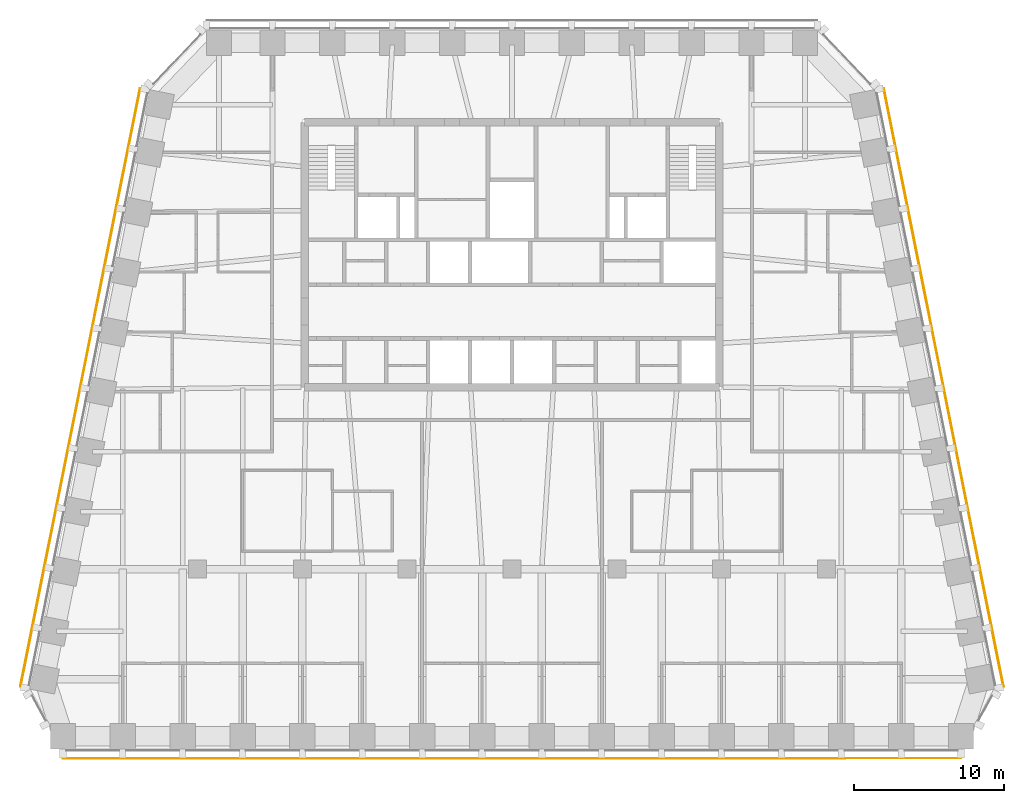
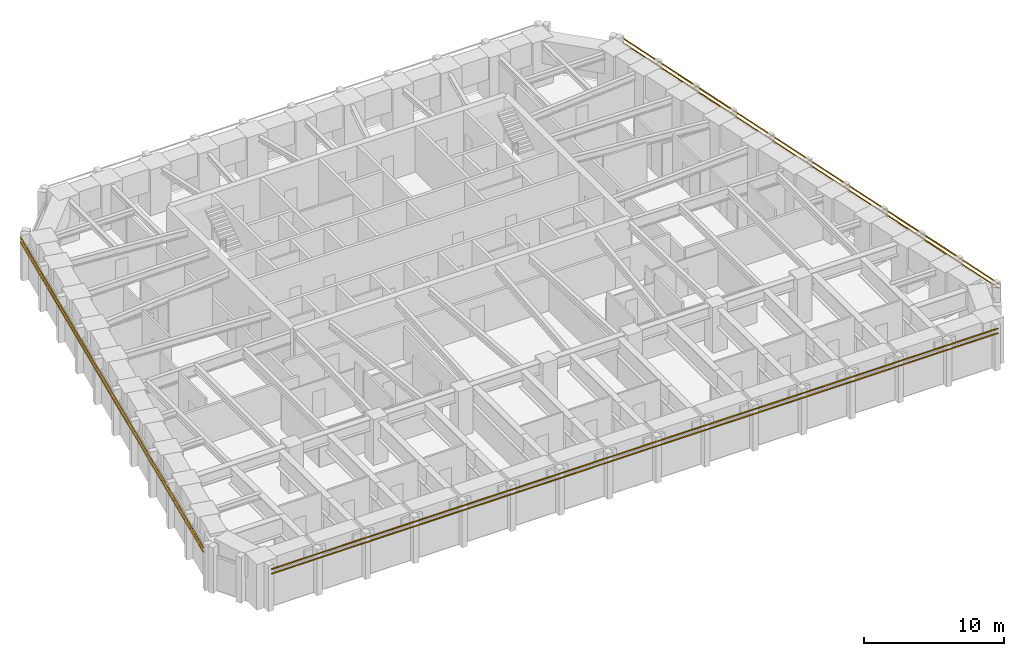
# One storey, part 11 of 12: 6 shading devices.
"""IFC4 building model written with IfcOpenShell, lengths in metres."""

from ifc_helpers import new_model, si_unit, direction, frame, origin, origin_2d, place, context, subcontext, project, spatial, rectangle, extrude, material, material_profile, profile_set, type_object, element, save


model = new_model("IFC4")

# Units and contexts
model_context = context("Model", 3, precision=1e-05, world=origin(), true_north=direction((0.0, 1.0)))
body_context = subcontext(model_context, "Body", "Model", "MODEL_VIEW")
ifc_project = project(units=[si_unit("LENGTHUNIT", "METRE"), si_unit("AREAUNIT", "SQUARE_METRE"), si_unit("VOLUMEUNIT", "CUBIC_METRE"), si_unit("PLANEANGLEUNIT", "RADIAN"), si_unit("MASSUNIT", "GRAM", prefix="KILO")], contexts=[model_context])

# Site, building, storey
site_placement = place(None, origin())
site = spatial("IfcSite", under=ifc_project, at=site_placement, CompositionType="ELEMENT")
building_placement = place(site_placement, origin())
building = spatial("IfcBuilding", under=site, at=building_placement, Name="Isbrekke Arena Tower", CompositionType="ELEMENT")
storey_placement = place(building_placement, frame((0.0, 0.0, 256.0)))
storey = spatial("IfcBuildingStorey", under=building, at=storey_placement, Name="L59", CompositionType="ELEMENT", Elevation=256.0)

# Shading devices
ifc_material = material(Name="Terracotta", Category="masonry")
ifc_material_profile = material_profile(ifc_material, rectangle(XDim=0.06005859375, YDim=0.06005859375, at=origin_2d()), Name="BAGUETTE 60X60")
ifc_profile_set = profile_set([ifc_material_profile], Name="Terracotta")
shading_device_type = type_object("IfcShadingDeviceType", Name="BG1 TERRACOTTA BAGUETTE 60 x 60", PredefinedType="USERDEFINED", material=ifc_profile_set)
for number, where, z_axis, x_axis, name in (
    (1, (-30.0, -18.655029296875, 3.280029296875), (1.0, 0.0, 0.0), (0.0, 1.0, 0.0), "BG1 terracotta baguette S1 L59"),
    (2, (-30.0, -18.655029296875, 3.679931640625), (1.0, 0.0, 0.0), (0.0, 1.0, 0.0), "BG1 terracotta baguette S2 L59"),
):
    element("IfcShadingDevice", number, at=place(storey_placement, frame(where, z_axis=z_axis, x_axis=x_axis)), inside=storey, type_object=shading_device_type, Name=name, ObjectType="TERRACOTTA BAGUETTE", PredefinedType="USERDEFINED", context=body_context, shape_type="SweptSolid", body=[
        extrude(rectangle(XDim=0.06005859375, YDim=0.06005859375, at=origin_2d()), origin(), (0.0, 0.0, 1.0), 60.0),
    ])
for number, where, z_axis, x_axis, name in (
    (3, (32.84228515625, -13.87158203125, 3.280029296875), (-0.196116135138, 0.980580675691, 0.0), (-0.980580675691, -0.196116135138, 0.0), "BG1 terracotta baguette E1 L59"),
    (4, (32.84228515625, -13.87158203125, 3.679931640625), (-0.196116135138, 0.980580675691, 0.0), (-0.980580675691, -0.196116135138, 0.0), "BG1 terracotta baguette E2 L59"),
    (5, (-24.84228515625, 26.12841796875, 3.280029296875), (-0.196116135138, -0.980580675691, 0.0), (0.980580675691, -0.196116135138, 0.0), "BG1 terracotta baguette W1 L59"),
    (6, (-24.84228515625, 26.12841796875, 3.679931640625), (-0.196116135138, -0.980580675691, 0.0), (0.980580675691, -0.196116135138, 0.0), "BG1 terracotta baguette W2 L59"),
):
    element("IfcShadingDevice", number, at=place(storey_placement, frame(where, z_axis=z_axis, x_axis=x_axis)), inside=storey, type_object=shading_device_type, Name=name, ObjectType="TERRACOTTA BAGUETTE", PredefinedType="USERDEFINED", context=body_context, shape_type="SweptSolid", body=[
        extrude(rectangle(XDim=0.06005859375, YDim=0.06005859375, at=origin_2d()), origin(), (0.0, 0.0, 1.0), 40.792236328125),
    ])

save(model, "model.ifc")
